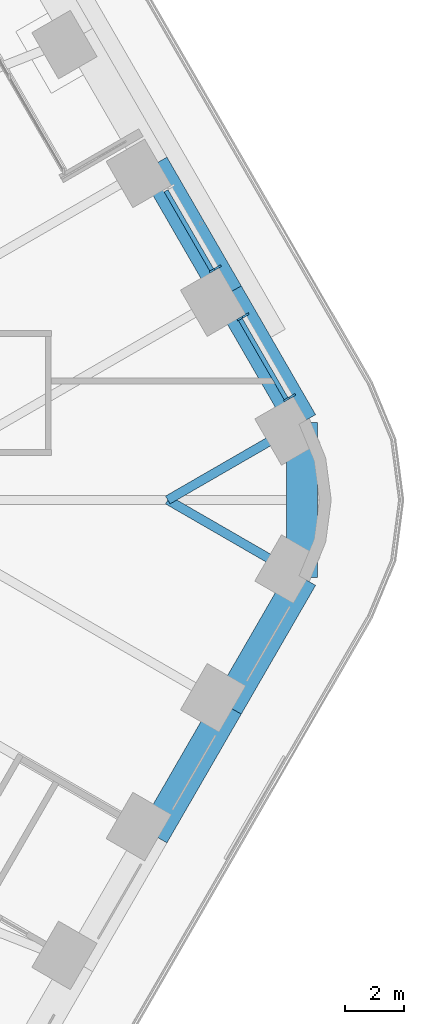
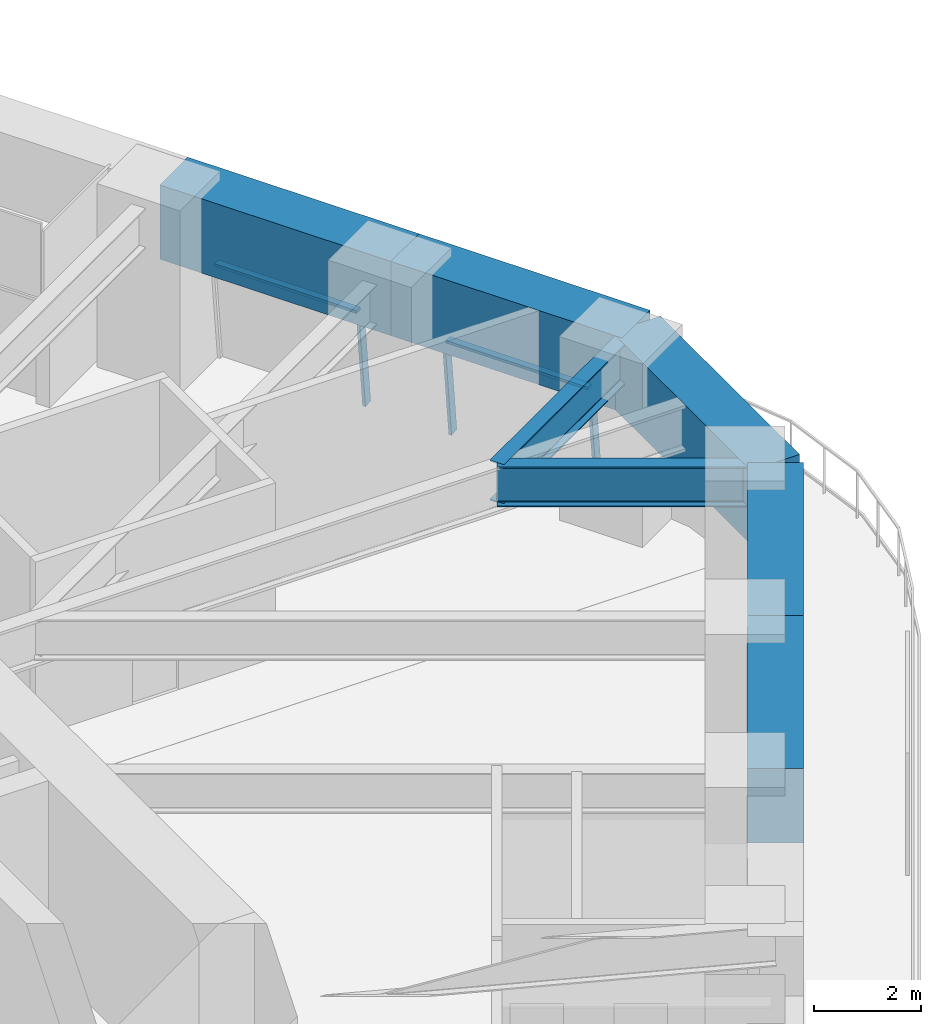
# One storey, part 14 of 24: 7 beams, 5 members, 2 elements without a shape of their own.
"""IFC4 building model written with IfcOpenShell, lengths in metres."""

from ifc_helpers import new_model, si_unit, direction, frame, origin, origin_2d, place, context, subcontext, project, spatial, rectangle, i_section, extrude, material, material_profile, profile_set, type_object, element, aggregate, save


model = new_model("IFC4")

# Units and contexts
model_context = context("Model", 3, precision=1e-05, world=origin(), true_north=direction((0.0, 1.0)))
body_context = subcontext(model_context, "Body", "Model", "MODEL_VIEW")
ifc_project = project(units=[si_unit("LENGTHUNIT", "METRE"), si_unit("AREAUNIT", "SQUARE_METRE"), si_unit("VOLUMEUNIT", "CUBIC_METRE"), si_unit("PLANEANGLEUNIT", "RADIAN"), si_unit("MASSUNIT", "GRAM", prefix="KILO")], contexts=[model_context])

# Site, building, storey
site_placement = place(None, origin())
site = spatial("IfcSite", under=ifc_project, at=site_placement, CompositionType="ELEMENT")
building_placement = place(site_placement, origin())
building = spatial("IfcBuilding", under=site, at=building_placement, Name="Tarfa Lantern Tower", CompositionType="ELEMENT")
storey_placement = place(building_placement, frame((0.0, 0.0, 123.699951171875)))
storey = spatial("IfcBuildingStorey", under=building, at=storey_placement, Name="L27", CompositionType="ELEMENT", Elevation=123.699951171875)

# Curtain wall, members
ifc_material_1 = material(Name="Aluminium framed curtain wall", Category="aluminium")
curtain_wall_type = type_object("IfcCurtainWallType", Name="CW2 CANTED GLAZING MID ZONE 2300", PredefinedType="USERDEFINED", material=ifc_material_1)
curtain_wall_1_placement = place(storey_placement, origin())
curtain_wall_1 = element("IfcCurtainWall", 1, at=curtain_wall_1_placement, inside=storey, type_object=curtain_wall_type, Name="CW2 NE L27", ObjectType="CURTAIN WALL", PredefinedType="USERDEFINED")
ifc_material_2 = material(Name="Aluminium mullion", Category="aluminium")
ifc_material_profile_1 = material_profile(ifc_material_2, rectangle(XDim=0.06494140625, YDim=0.199951171875, at=origin_2d()), Name="AL MULLION 65x200")
ifc_profile_set_1 = profile_set([ifc_material_profile_1], Name="Aluminium mullion")
member_type_1 = type_object("IfcMemberType", Name="CWM1 MULLION 65x200", PredefinedType="MULLION", material=ifc_profile_set_1)
member_1_placement = place(storey_placement, frame((34.232421875, 3.507568359375, 0.0), z_axis=(-0.093495303575, -0.054028888748, 0.994152657991), x_axis=(0.500342721131, -0.865827443207, 0.0)))
member_1 = element("IfcMember", 2, at=member_1_placement, type_object=member_type_1, Name="CW2 mullion 1", PredefinedType="MULLION", context=body_context, shape_type="SweptSolid", body=[
    extrude(rectangle(XDim=0.06494140625, YDim=0.199951171875, at=origin_2d()), origin(), (0.0, 0.0, 1.0), 2.3134765625),
])
member_2_placement = place(storey_placement, frame((32.6630859375, 6.225830078125, 0.0), z_axis=(-0.093599904765, -0.0540283554, 0.994142844183), x_axis=(0.499919672301, -0.866071776036, 0.0)))
member_2 = element("IfcMember", 3, at=member_2_placement, type_object=member_type_1, Name="CW2 mullion 2", PredefinedType="MULLION", context=body_context, shape_type="SweptSolid", body=[
    extrude(rectangle(XDim=0.06494140625, YDim=0.199951171875, at=origin_2d()), origin(), (0.0, 0.0, 1.0), 2.313720703125),
])

# Curtain wall, member
curtain_wall_2_placement = place(storey_placement, origin())
curtain_wall_2 = element("IfcCurtainWall", 4, at=curtain_wall_2_placement, inside=storey, type_object=curtain_wall_type, Name="CW2 NE L27", ObjectType="CURTAIN WALL", PredefinedType="USERDEFINED")
member_3_placement = place(storey_placement, frame((31.730712890625, 7.8408203125, 0.0), z_axis=(-0.093599904765, -0.0540283554, 0.994142844183), x_axis=(0.499919672301, -0.866071776036, 0.0)))
member_3 = element("IfcMember", 5, at=member_3_placement, type_object=member_type_1, Name="CW2 mullion 1", PredefinedType="MULLION", context=body_context, shape_type="SweptSolid", body=[
    extrude(rectangle(XDim=0.06494140625, YDim=0.199951171875, at=origin_2d()), origin(), (0.0, 0.0, 1.0), 2.313720703125),
])

# Member
ifc_material_3 = material(Name="Aluminium transom", Category="aluminium")
ifc_material_profile_2 = material_profile(ifc_material_3, rectangle(XDim=0.14990234375, YDim=0.06494140625, at=origin_2d()), Name="AL TRANSOM 150x65")
ifc_profile_set_2 = profile_set([ifc_material_profile_2], Name="Aluminium transom")
member_type_2 = type_object("IfcMemberType", Name="CWT1 TRANSOM 150x65", PredefinedType="USERDEFINED", material=ifc_profile_set_2)
member_4_placement = place(storey_placement, frame((34.002685546875, 3.41259765625, 2.267578125), z_axis=(-0.499949361699, 0.866054637847, 0.0), x_axis=(-0.866054637847, -0.499949361699, 0.0)))
member_4 = element("IfcMember", 6, at=member_4_placement, type_object=member_type_2, Name="CW2 transom 1.2", ObjectType="TRANSOM", PredefinedType="USERDEFINED", context=body_context, shape_type="SweptSolid", body=[
    extrude(rectangle(XDim=0.14990234375, YDim=0.06494140625, at=origin_2d()), origin(), (0.0, 0.0, 1.0), 3.073486328125),
])

aggregate(curtain_wall_1, [member_1, member_2, member_4])

member_5_placement = place(storey_placement, frame((31.5009765625, 7.745849609375, 2.267578125), z_axis=(-0.500008936691, 0.866020244122, 0.0), x_axis=(-0.866020244122, -0.500008936691, 0.0)))
member_5 = element("IfcMember", 7, at=member_5_placement, type_object=member_type_2, Name="CW2 transom 1.2", ObjectType="TRANSOM", PredefinedType="USERDEFINED", context=body_context, shape_type="SweptSolid", body=[
    extrude(rectangle(XDim=0.14990234375, YDim=0.06494140625, at=origin_2d()), origin(), (0.0, 0.0, 1.0), 3.07373046875),
])

aggregate(curtain_wall_2, [member_3, member_5])

# Beams
ifc_material_4 = material(Name="Concrete C80/95", Category="concrete")
ifc_material_profile_3 = material_profile(ifc_material_4, rectangle(XDim=1.050048828125, YDim=1.699951171875, at=origin_2d()), Name="RC 1050x1700")
ifc_profile_set_3 = profile_set([ifc_material_profile_3], Name="Concrete C80/95")
beam_type_1 = type_object("IfcBeamType", Name="RB2 RC 1050x1700", PredefinedType="BEAM", material=ifc_profile_set_3)
for number, where, z_axis, x_axis, name in (
    (8, (34.54296875, 2.610107421875, 3.150146484375), (-0.500022324899, 0.866012514114, 0.0), (-0.866012514114, -0.500022324899, 0.0), "Edge beam NE0"),
    (9, (32.041015625, 6.943359375, 3.150146484375), (-0.500022324899, 0.866012514114, 0.0), (-0.866012514114, -0.500022324899, 0.0), "Edge beam NE1"),
    (10, (29.5390625, -11.276611328125, 3.150146484375), (0.500022324899, 0.866012514114, 0.0), (-0.866012514114, 0.500022324899, 0.0), "Edge beam SE4"),
    (11, (32.041015625, -6.943359375, 3.150146484375), (0.500022324899, 0.866012514114, 0.0), (-0.866012514114, 0.500022324899, 0.0), "Edge beam SE5"),
):
    element("IfcBeam", number, at=place(storey_placement, frame(where, z_axis=z_axis, x_axis=x_axis)), inside=storey, type_object=beam_type_1, Name=name, PredefinedType="BEAM", context=body_context, shape_type="SweptSolid", body=[
        extrude(rectangle(XDim=1.050048828125, YDim=1.699951171875, at=origin_2d()), origin(), (0.0, 0.0, 1.0), 5.003662109375),
    ])
beam_placement = place(storey_placement, frame((34.54296875, -2.610107421875, 3.150146484375), z_axis=(0.0, 1.0, 0.0), x_axis=(-1.0, 0.0, 0.0)))
element("IfcBeam", 12, at=beam_placement, inside=storey, type_object=beam_type_1, Name="Edge beam SE6", PredefinedType="BEAM", context=body_context, shape_type="SweptSolid", body=[
    extrude(rectangle(XDim=1.050048828125, YDim=1.699951171875, at=origin_2d()), origin(), (0.0, 0.0, 1.0), 5.22021484375),
])
ifc_material_5 = material(Name="Steel S460M", Category="steel")
ifc_material_profile_4 = material_profile(ifc_material_5, i_section(OverallWidth=0.305419921875, OverallDepth=0.91845703125, WebThickness=0.017333984375, FlangeThickness=0.02783203125, FilletRadius=0.01904296875, at=origin_2d()), Name="UB914x305x253")
ifc_profile_set_4 = profile_set([ifc_material_profile_4], Name="Steel S460M")
beam_type_2 = type_object("IfcBeamType", Name="UB914x305x253", PredefinedType="BEAM", material=ifc_profile_set_4)
for number, where, z_axis, x_axis, name in (
    (13, (34.54296875, 2.610107421875, 3.540771484375), (-0.866021250859, -0.500007193008, 0.0), (0.500007193008, -0.866021250859, 0.0), "Floor beam NE0"),
    (14, (34.54296875, -2.610107421875, 3.540771484375), (-0.866021250859, 0.500007193008, 0.0), (-0.500007193008, -0.866021250859, 0.0), "Floor beam SE6"),
):
    element("IfcBeam", number, at=place(storey_placement, frame(where, z_axis=z_axis, x_axis=x_axis)), inside=storey, type_object=beam_type_2, Name=name, PredefinedType="BEAM", context=body_context, shape_type="SweptSolid", body=[
        extrude(i_section(OverallWidth=0.305419921875, OverallDepth=0.91845703125, WebThickness=0.017333984375, FlangeThickness=0.02783203125, FilletRadius=0.01904296875, at=origin_2d()), origin(), (0.0, 0.0, 1.0), 5.22021484375),
    ])

save(model, "model.ifc")
